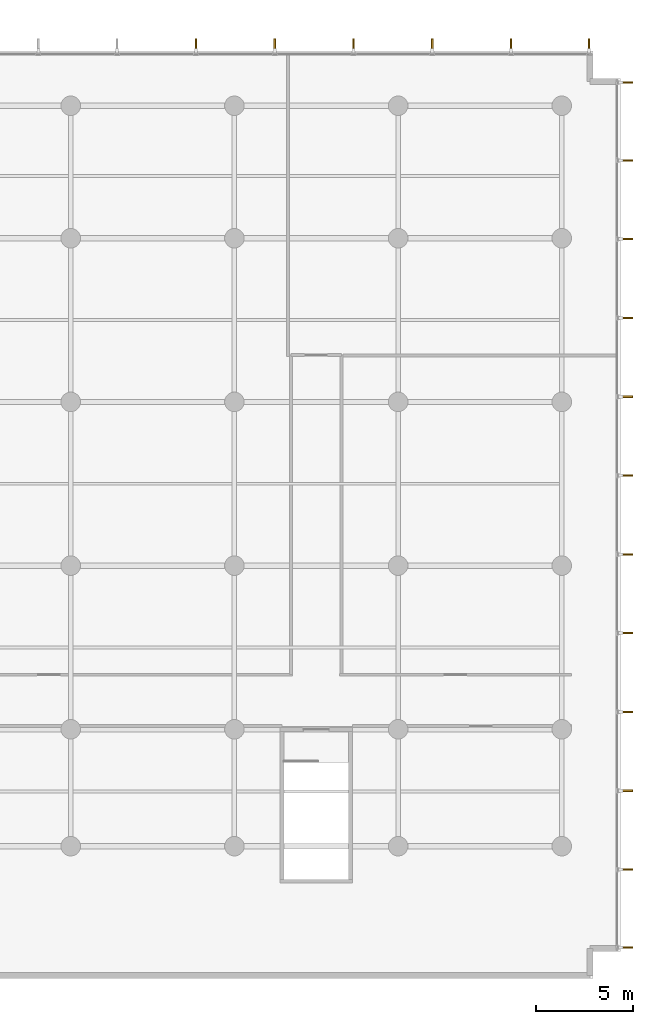
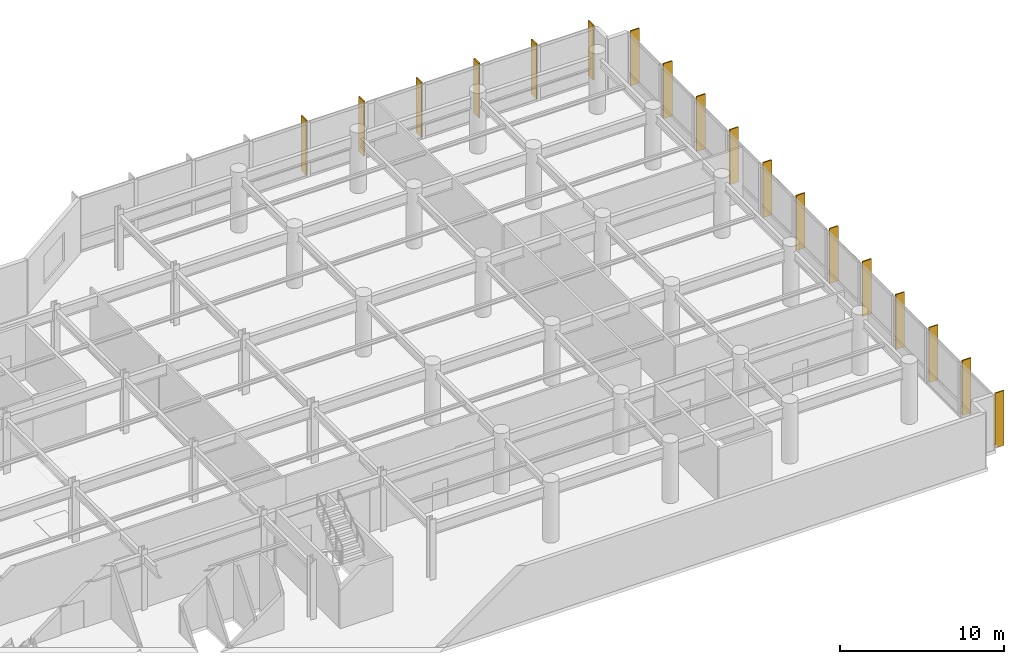
# One storey, part 23 of 23: 18 shading devices.
"""IFC4 building model written with IfcOpenShell, lengths in metres."""

from ifc_helpers import new_model, si_unit, direction, frame, origin, origin_2d, place, context, subcontext, project, spatial, rectangle, extrude, material, layer, layer_set, type_object, element, save


model = new_model("IFC4")

# Units and contexts
model_context = context("Model", 3, precision=1e-05, world=origin(), true_north=direction((0.0, 1.0)))
body_context = subcontext(model_context, "Body", "Model", "MODEL_VIEW")
ifc_project = project(units=[si_unit("LENGTHUNIT", "METRE"), si_unit("AREAUNIT", "SQUARE_METRE"), si_unit("VOLUMEUNIT", "CUBIC_METRE"), si_unit("PLANEANGLEUNIT", "RADIAN"), si_unit("MASSUNIT", "GRAM", prefix="KILO")], contexts=[model_context])

# Site, building, storey
site_placement = place(None, origin())
site = spatial("IfcSite", under=ifc_project, at=site_placement, CompositionType="ELEMENT")
building_placement = place(site_placement, origin())
building = spatial("IfcBuilding", under=site, at=building_placement, Name="Varnakote Quay Hospital", CompositionType="ELEMENT")
storey_placement = place(building_placement, frame((0.0, 0.0, 18.0)))
storey = spatial("IfcBuildingStorey", under=building, at=storey_placement, Name="L04", CompositionType="ELEMENT", Elevation=18.0)

# Shading devices
ifc_material = material(Name="Anodised aluminium 6063-T6 Bronze", Category="aluminium")
ifc_layer = layer(ifc_material, 0.0849609375)
ifc_layer_set = layer_set([ifc_layer], Name="Anodised aluminium 6063-T6 Bronze")
shading_device_type = type_object("IfcShadingDeviceType", Name="SHD-BRONZE-FIN-620", PredefinedType="USERDEFINED", material=ifc_layer_set)
for number, where, z_axis, x_axis, name in (
    (1, (87.330078125, 0.802490234375, 0.0), (0.0, 0.0, 1.0), (-1.0, 0.0, 0.0), "L04 Anodised Bronze Vertical Shading FIN"),
    (2, (87.330078125, 4.8037109375, 0.0), (0.0, 0.0, 1.0), (-1.0, 0.0, 0.0), "L04 Anodised Bronze Vertical Shading FIN"),
    (3, (87.330078125, 8.847412109375, 0.0), (0.0, 0.0, 1.0), (-1.0, 0.0, 0.0), "L04 Anodised Bronze Vertical Shading FIN"),
    (4, (87.330078125, 12.890869140625, 0.0), (0.0, 0.0, 1.0), (-1.0, 0.0, 0.0), "L04 Anodised Bronze Vertical Shading FIN"),
    (5, (87.330078125, 16.9345703125, 0.0), (0.0, 0.0, 1.0), (-1.0, 0.0, 0.0), "L04 Anodised Bronze Vertical Shading FIN"),
    (6, (87.330078125, 20.978271484375, 0.0), (0.0, 0.0, 1.0), (-1.0, 0.0, 0.0), "L04 Anodised Bronze Vertical Shading FIN"),
    (7, (87.330078125, 25.021728515625, 0.0), (0.0, 0.0, 1.0), (-1.0, 0.0, 0.0), "L04 Anodised Bronze Vertical Shading FIN"),
    (8, (87.330078125, 29.0654296875, 0.0), (0.0, 0.0, 1.0), (-1.0, 0.0, 0.0), "L04 Anodised Bronze Vertical Shading FIN"),
    (9, (87.330078125, 33.109130859375, 0.0), (0.0, 0.0, 1.0), (-1.0, 0.0, 0.0), "L04 Anodised Bronze Vertical Shading FIN"),
    (10, (87.330078125, 37.152587890625, 0.0), (0.0, 0.0, 1.0), (-1.0, 0.0, 0.0), "L04 Anodised Bronze Vertical Shading FIN"),
    (11, (87.330078125, 41.1962890625, 0.0), (0.0, 0.0, 1.0), (-1.0, 0.0, 0.0), "L04 Anodised Bronze Vertical Shading FIN"),
    (12, (87.330078125, 45.197509765625, 0.0), (0.0, 0.0, 1.0), (-1.0, 0.0, 0.0), "L04 Anodised Bronze Vertical Shading FIN"),
    (13, (85.3974609375, 47.1298828125, 0.0), (0.0, 0.0, 1.0), (0.0, -1.0, 0.0), "L04 Anodised Bronze Vertical Shading FIN"),
    (14, (81.396484375, 47.1298828125, 0.0), (0.0, 0.0, 1.0), (0.0, -1.0, 0.0), "L04 Anodised Bronze Vertical Shading FIN"),
    (15, (77.35302734375, 47.1298828125, 0.0), (0.0, 0.0, 1.0), (0.0, -1.0, 0.0), "L04 Anodised Bronze Vertical Shading FIN"),
    (16, (73.3095703125, 47.1298828125, 0.0), (0.0, 0.0, 1.0), (0.0, -1.0, 0.0), "L04 Anodised Bronze Vertical Shading FIN"),
    (17, (69.26611328125, 47.1298828125, 0.0), (0.0, 0.0, 1.0), (0.0, -1.0, 0.0), "L04 Anodised Bronze Vertical Shading FIN"),
    (18, (65.222412109375, 47.1298828125, 0.0), (0.0, 0.0, 1.0), (0.0, -1.0, 0.0), "L04 Anodised Bronze Vertical Shading FIN"),
):
    element("IfcShadingDevice", number, at=place(storey_placement, frame(where, z_axis=z_axis, x_axis=x_axis)), inside=storey, type_object=shading_device_type, Name=name, ObjectType="FIN", PredefinedType="USERDEFINED", context=body_context, shape_type="SweptSolid", body=[
        extrude(rectangle(XDim=0.6201171875, YDim=0.0849609375, at=origin_2d()), origin(), (0.0, 0.0, 1.0), 4.080078125),
    ])

save(model, "model.ifc")
